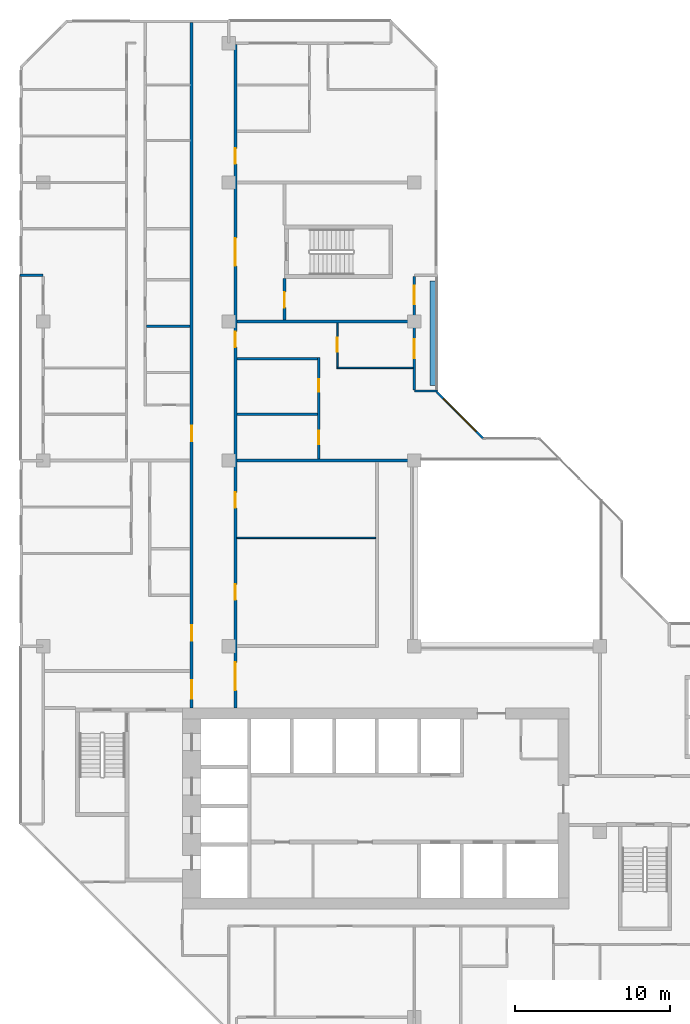
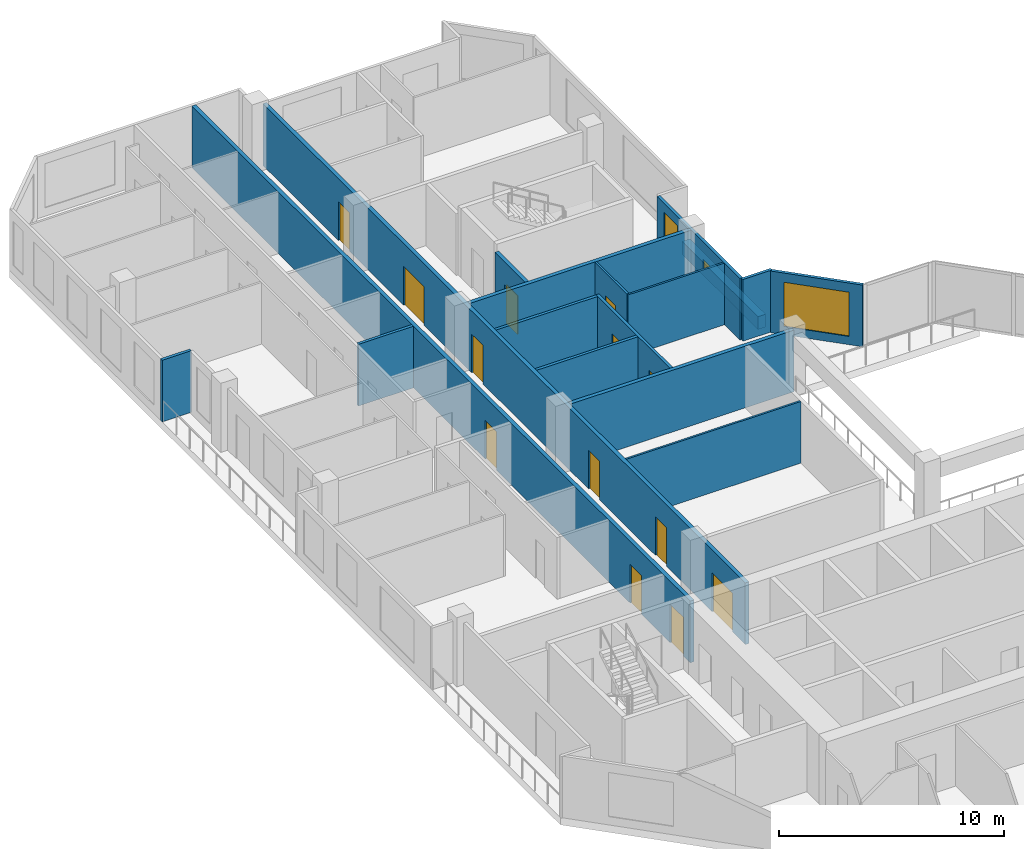
# One storey, part 9 of 15: 17 walls, 14 doors, 2 windows, 16 openings.
"""IFC4 building model written with IfcOpenShell, lengths in metres."""

from ifc_helpers import new_model, si_unit, direction, frame, frame_2d, origin, place, context, subcontext, project, spatial, rectangle, extrude, material, layer, layer_set, type_object, element, fill, save


model = new_model("IFC4")

# Units and contexts
model_context = context("Model", 3, precision=1e-05, world=origin(), true_north=direction((0.0, 1.0)))
body_context = subcontext(model_context, "Body", "Model", "MODEL_VIEW")
ifc_project = project(units=[si_unit("LENGTHUNIT", "METRE"), si_unit("AREAUNIT", "SQUARE_METRE"), si_unit("VOLUMEUNIT", "CUBIC_METRE"), si_unit("PLANEANGLEUNIT", "RADIAN"), si_unit("MASSUNIT", "GRAM", prefix="KILO")], contexts=[model_context])

# Site, building, storey
site_placement = place(None, origin())
site = spatial("IfcSite", under=ifc_project, at=site_placement, CompositionType="ELEMENT")
building_placement = place(site_placement, origin())
building = spatial("IfcBuilding", under=site, at=building_placement, Name="Chenar Terraces", CompositionType="ELEMENT")
storey_placement = place(building_placement, frame((0.0, 0.0, 215.39990234375)))
storey = spatial("IfcBuildingStorey", under=building, at=storey_placement, Name="L50", CompositionType="ELEMENT", Elevation=215.39990234375)

# Wall, openings, doors
ifc_material_1 = material(Name="Gypsum board on steel studs with fire boards", Category="steel")
ifc_layer_1 = layer(ifc_material_1, 0.199951171875)
ifc_layer_set_1 = layer_set([ifc_layer_1], Name="Gypsum board on steel studs with fire boards")
wall_type_1 = type_object("IfcWallType", Name="Corridor wall 200", PredefinedType="PARTITIONING", material=ifc_layer_set_1)
wall_1_placement = place(storey_placement, frame((9.60009765625, 20.0, 0.0), z_axis=(0.0, 0.0, 1.0), x_axis=(0.0, 1.0, 0.0)))
wall_1 = element("IfcWall", 1, at=wall_1_placement, inside=storey, type_object=wall_type_1, Name="Partition L50-030", PredefinedType="PARTITIONING", context=body_context, shape_type="SweptSolid", body=[
    extrude(rectangle(XDim=44.35009765625, YDim=0.199951171875, at=frame_2d((22.175048828125, 0.0))), origin(), (0.0, 0.0, 1.0), 3.35009765625),
])
opening_1_placement = place(wall_1_placement, frame((17.25, 0.0, 0.0)))
opening_1 = element("IfcOpeningElement", 2, at=opening_1_placement, cuts=wall_1, Name="Opening DL50-29", PredefinedType="OPENING", context=body_context, shape_type="SweptSolid", body=[
    extrude(rectangle(XDim=1.0, YDim=2.10009765625, at=frame_2d((0.5, 1.050048828125))), frame((0.0, 0.10986328125, 0.0), z_axis=(0.0, -1.0, 0.0), x_axis=(1.0, 0.0, 0.0)), (0.0, 0.0, 1.0), 0.219970703125),
])
opening_2_placement = place(wall_1_placement, frame((0.60009765625, 0.0, 0.0)))
opening_2 = element("IfcOpeningElement", 3, at=opening_2_placement, cuts=wall_1, Name="Opening DL50-40", PredefinedType="OPENING", context=body_context, shape_type="SweptSolid", body=[
    extrude(rectangle(XDim=1.199951171875, YDim=2.10009765625, at=frame_2d((0.60009765625, 1.050048828125))), frame((0.0, 0.10986328125, 0.0), z_axis=(0.0, -1.0, 0.0), x_axis=(1.0, 0.0, 0.0)), (0.0, 0.0, 1.0), 0.219970703125),
])
opening_3_placement = place(wall_1_placement, frame((4.35009765625, 0.0, 0.0)))
opening_3 = element("IfcOpeningElement", 4, at=opening_3_placement, cuts=wall_1, Name="Opening DL50-61", PredefinedType="OPENING", context=body_context, shape_type="SweptSolid", body=[
    extrude(rectangle(XDim=1.0, YDim=2.10009765625, at=frame_2d((0.5, 1.050048828125))), frame((0.0, 0.10986328125, 0.0), z_axis=(0.0, -1.0, 0.0), x_axis=(1.0, 0.0, 0.0)), (0.0, 0.0, 1.0), 0.219970703125),
])
ifc_material_2 = material(Name="Steel-framed fire-resisting door leaf", Category="steel")
door_type_1 = type_object("IfcDoorType", Name="Fire door FD30S 1000 x 2100", OperationType="SINGLE_SWING_LEFT", PredefinedType="DOOR", material=ifc_material_2)
door_1_placement = place(opening_1_placement, origin())
door_1 = element("IfcDoor", 5, at=door_1_placement, inside=storey, type_object=door_type_1, Name="Door DL50-29", OperationType="SINGLE_SWING_LEFT", OverallHeight=2.10009765625, OverallWidth=1.0, PredefinedType="DOOR", context=body_context, shape_type="SweptSolid", body=[
    extrude(rectangle(XDim=1.0, YDim=2.10009765625, at=frame_2d((0.5, 1.050048828125))), frame((0.0, 0.02490234375, 0.0), z_axis=(0.0, -1.0, 0.0), x_axis=(1.0, 0.0, 0.0)), (0.0, 0.0, 1.0), 0.050048828125),
])
fill(opening_1, door_1)
door_2_placement = place(opening_3_placement, origin())
door_2 = element("IfcDoor", 6, at=door_2_placement, inside=storey, type_object=door_type_1, Name="Door DL50-61", OperationType="SINGLE_SWING_RIGHT", OverallHeight=2.10009765625, OverallWidth=1.0, PredefinedType="DOOR", context=body_context, shape_type="SweptSolid", body=[
    extrude(rectangle(XDim=1.0, YDim=2.10009765625, at=frame_2d((0.5, 1.050048828125))), frame((0.0, 0.02490234375, 0.0), z_axis=(0.0, -1.0, 0.0), x_axis=(1.0, 0.0, 0.0)), (0.0, 0.0, 1.0), 0.050048828125),
])
fill(opening_3, door_2)
ifc_material_3 = material(Name="Steel-framed fire-resisting door leaf", Category="steel")
door_type_2 = type_object("IfcDoorType", Name="Fire door FD30S 1200 x 2100", OperationType="SINGLE_SWING_LEFT", PredefinedType="DOOR", material=ifc_material_3)
door_3_placement = place(opening_2_placement, origin())
door_3 = element("IfcDoor", 7, at=door_3_placement, inside=storey, type_object=door_type_2, Name="Door DL50-40", OperationType="SINGLE_SWING_RIGHT", OverallHeight=2.10009765625, OverallWidth=1.199951171875, PredefinedType="DOOR", context=body_context, shape_type="SweptSolid", body=[
    extrude(rectangle(XDim=1.199951171875, YDim=2.10009765625, at=frame_2d((0.60009765625, 1.050048828125))), frame((0.0, 0.02490234375, 0.0), z_axis=(0.0, -1.0, 0.0), x_axis=(1.0, 0.0, 0.0)), (0.0, 0.0, 1.0), 0.050048828125),
])
fill(opening_2, door_3)

wall_2_placement = place(storey_placement, frame((12.425048828125, 20.0, 0.0), z_axis=(0.0, 0.0, 1.0), x_axis=(0.0, 1.0, 0.0)))
wall_2 = element("IfcWall", 8, at=wall_2_placement, inside=storey, type_object=wall_type_1, Name="Partition L50-033", PredefinedType="PARTITIONING", context=body_context, shape_type="SweptSolid", body=[
    extrude(rectangle(XDim=42.926025390625, YDim=0.199951171875, at=frame_2d((21.462890625, 0.0))), origin(), (0.0, 0.0, 1.0), 3.35009765625),
])
opening_4_placement = place(wall_2_placement, frame((7.0, 0.0, 0.0)))
opening_4 = element("IfcOpeningElement", 9, at=opening_4_placement, cuts=wall_2, Name="Opening DL50-1", PredefinedType="OPENING", context=body_context, shape_type="SweptSolid", body=[
    extrude(rectangle(XDim=1.0, YDim=2.10009765625, at=frame_2d((0.5, 1.050048828125))), frame((0.0, 0.10986328125, 0.0), z_axis=(0.0, -1.0, 0.0), x_axis=(1.0, 0.0, 0.0)), (0.0, 0.0, 1.0), 0.219970703125),
])
opening_5_placement = place(wall_2_placement, frame((12.949951171875, 0.0, 0.0)))
opening_5 = element("IfcOpeningElement", 10, at=opening_5_placement, cuts=wall_2, Name="Opening DL50-2", PredefinedType="OPENING", context=body_context, shape_type="SweptSolid", body=[
    extrude(rectangle(XDim=1.0, YDim=2.10009765625, at=frame_2d((0.5, 1.050048828125))), frame((0.0, 0.10986328125, 0.0), z_axis=(0.0, -1.0, 0.0), x_axis=(1.0, 0.0, 0.0)), (0.0, 0.0, 1.0), 0.219970703125),
])
opening_6_placement = place(wall_2_placement, frame((23.35009765625, 0.0, 0.0)))
opening_6 = element("IfcOpeningElement", 11, at=opening_6_placement, cuts=wall_2, Name="Opening DL50-18", PredefinedType="OPENING", context=body_context, shape_type="SweptSolid", body=[
    extrude(rectangle(XDim=1.0, YDim=2.10009765625, at=frame_2d((0.5, 1.050048828125))), frame((0.0, 0.10986328125, 0.0), z_axis=(0.0, -1.0, 0.0), x_axis=(1.0, 0.0, 0.0)), (0.0, 0.0, 1.0), 0.219970703125),
])
opening_7_placement = place(wall_2_placement, frame((35.199951171875, 0.0, 0.0)))
opening_7 = element("IfcOpeningElement", 12, at=opening_7_placement, cuts=wall_2, Name="Opening DL50-22", PredefinedType="OPENING", context=body_context, shape_type="SweptSolid", body=[
    extrude(rectangle(XDim=1.0, YDim=2.10009765625, at=frame_2d((0.5, 1.050048828125))), frame((0.0, 0.10986328125, 0.0), z_axis=(0.0, -1.0, 0.0), x_axis=(1.0, 0.0, 0.0)), (0.0, 0.0, 1.0), 0.219970703125),
])
opening_8_placement = place(wall_2_placement, frame((1.14990234375, 0.0, 0.0)))
opening_8 = element("IfcOpeningElement", 13, at=opening_8_placement, cuts=wall_2, Name="Opening DL50-39", PredefinedType="OPENING", context=body_context, shape_type="SweptSolid", body=[
    extrude(rectangle(XDim=1.800048828125, YDim=2.10009765625, at=frame_2d((0.89990234375, 1.050048828125))), frame((0.0, 0.10986328125, 0.0), z_axis=(0.0, -1.0, 0.0), x_axis=(1.0, 0.0, 0.0)), (0.0, 0.0, 1.0), 0.219970703125),
])
opening_9_placement = place(wall_2_placement, frame((28.60009765625, 0.0, 0.0)))
opening_9 = element("IfcOpeningElement", 14, at=opening_9_placement, cuts=wall_2, Name="Opening DL50-41", PredefinedType="OPENING", context=body_context, shape_type="SweptSolid", body=[
    extrude(rectangle(XDim=1.800048828125, YDim=2.10009765625, at=frame_2d((0.89990234375, 1.050048828125))), frame((0.0, 0.10986328125, 0.0), z_axis=(0.0, -1.0, 0.0), x_axis=(1.0, 0.0, 0.0)), (0.0, 0.0, 1.0), 0.219970703125),
])
ifc_material_4 = material(Name="Steel-framed fire-resisting door leaf", Category="steel")
door_type_3 = type_object("IfcDoorType", Name="Fire door FD60 1000 x 2100", OperationType="SINGLE_SWING_LEFT", PredefinedType="DOOR", material=ifc_material_4)
door_4_placement = place(opening_4_placement, frame((1.0, 0.0, 0.0), z_axis=(0.0, 0.0, 1.0), x_axis=(-1.0, 0.0, 0.0)))
door_4 = element("IfcDoor", 15, at=door_4_placement, inside=storey, type_object=door_type_3, Name="Door DL50-1", OperationType="SINGLE_SWING_LEFT", OverallHeight=2.10009765625, OverallWidth=1.0, PredefinedType="DOOR", context=body_context, shape_type="SweptSolid", body=[
    extrude(rectangle(XDim=1.0, YDim=2.10009765625, at=frame_2d((0.5, 1.050048828125))), frame((0.0, 0.02490234375, 0.0), z_axis=(0.0, -1.0, 0.0), x_axis=(1.0, 0.0, 0.0)), (0.0, 0.0, 1.0), 0.050048828125),
])
fill(opening_4, door_4)
door_5_placement = place(opening_5_placement, frame((1.0, 0.0, 0.0), z_axis=(0.0, 0.0, 1.0), x_axis=(-1.0, 0.0, 0.0)))
door_5 = element("IfcDoor", 16, at=door_5_placement, inside=storey, type_object=door_type_3, Name="Door DL50-2", OperationType="SINGLE_SWING_LEFT", OverallHeight=2.10009765625, OverallWidth=1.0, PredefinedType="DOOR", context=body_context, shape_type="SweptSolid", body=[
    extrude(rectangle(XDim=1.0, YDim=2.10009765625, at=frame_2d((0.5, 1.050048828125))), frame((0.0, 0.02490234375, 0.0), z_axis=(0.0, -1.0, 0.0), x_axis=(1.0, 0.0, 0.0)), (0.0, 0.0, 1.0), 0.050048828125),
])
fill(opening_5, door_5)
door_6_placement = place(opening_6_placement, frame((1.0, 0.0, 0.0), z_axis=(0.0, 0.0, 1.0), x_axis=(-1.0, 0.0, 0.0)))
door_6 = element("IfcDoor", 17, at=door_6_placement, inside=storey, type_object=door_type_3, Name="Door DL50-18", OperationType="SINGLE_SWING_LEFT", OverallHeight=2.10009765625, OverallWidth=1.0, PredefinedType="DOOR", context=body_context, shape_type="SweptSolid", body=[
    extrude(rectangle(XDim=1.0, YDim=2.10009765625, at=frame_2d((0.5, 1.050048828125))), frame((0.0, 0.02490234375, 0.0), z_axis=(0.0, -1.0, 0.0), x_axis=(1.0, 0.0, 0.0)), (0.0, 0.0, 1.0), 0.050048828125),
])
fill(opening_6, door_6)
door_7_placement = place(opening_7_placement, frame((1.0, 0.0, 0.0), z_axis=(0.0, 0.0, 1.0), x_axis=(-1.0, 0.0, 0.0)))
door_7 = element("IfcDoor", 18, at=door_7_placement, inside=storey, type_object=door_type_3, Name="Door DL50-22", OperationType="SINGLE_SWING_LEFT", OverallHeight=2.10009765625, OverallWidth=1.0, PredefinedType="DOOR", context=body_context, shape_type="SweptSolid", body=[
    extrude(rectangle(XDim=1.0, YDim=2.10009765625, at=frame_2d((0.5, 1.050048828125))), frame((0.0, 0.02490234375, 0.0), z_axis=(0.0, -1.0, 0.0), x_axis=(1.0, 0.0, 0.0)), (0.0, 0.0, 1.0), 0.050048828125),
])
fill(opening_7, door_7)
ifc_material_5 = material(Name="Steel-framed fire-resisting door leaf", Category="steel")
door_type_4 = type_object("IfcDoorType", Name="Fire double door FD60 1800 x 2100", OperationType="DOUBLE_DOOR_SINGLE_SWING", PredefinedType="DOOR", material=ifc_material_5)
door_8_placement = place(opening_8_placement, frame((1.800048828125, 0.0, 0.0), z_axis=(0.0, 0.0, 1.0), x_axis=(-1.0, 0.0, 0.0)))
door_8 = element("IfcDoor", 19, at=door_8_placement, inside=storey, type_object=door_type_4, Name="Door DL50-39", OperationType="DOUBLE_DOOR_SINGLE_SWING", OverallHeight=2.10009765625, OverallWidth=1.800048828125, PredefinedType="DOOR", context=body_context, shape_type="SweptSolid", body=[
    extrude(rectangle(XDim=1.800048828125, YDim=2.10009765625, at=frame_2d((0.89990234375, 1.050048828125))), frame((0.0, 0.02490234375, 0.0), z_axis=(0.0, -1.0, 0.0), x_axis=(1.0, 0.0, 0.0)), (0.0, 0.0, 1.0), 0.050048828125),
])
fill(opening_8, door_8)
door_9_placement = place(opening_9_placement, frame((1.800048828125, 0.0, 0.0), z_axis=(0.0, 0.0, 1.0), x_axis=(-1.0, 0.0, 0.0)))
door_9 = element("IfcDoor", 20, at=door_9_placement, inside=storey, type_object=door_type_4, Name="Door DL50-41", OperationType="DOUBLE_DOOR_SINGLE_SWING", OverallHeight=2.10009765625, OverallWidth=1.800048828125, PredefinedType="DOOR", context=body_context, shape_type="SweptSolid", body=[
    extrude(rectangle(XDim=1.800048828125, YDim=2.10009765625, at=frame_2d((0.89990234375, 1.050048828125))), frame((0.0, 0.02490234375, 0.0), z_axis=(0.0, -1.0, 0.0), x_axis=(1.0, 0.0, 0.0)), (0.0, 0.0, 1.0), 0.050048828125),
])
fill(opening_9, door_9)

# Wall, opening, door
wall_3_placement = place(storey_placement, frame((15.60009765625, 45.10009765625, 0.0), z_axis=(0.0, 0.0, 1.0), x_axis=(0.0, 1.0, 0.0)))
wall_3 = element("IfcWall", 21, at=wall_3_placement, inside=storey, type_object=wall_type_1, Name="Partition L50-044", PredefinedType="PARTITIONING", context=body_context, shape_type="SweptSolid", body=[
    extrude(rectangle(XDim=2.6748046875, YDim=0.199951171875, at=frame_2d((1.33740234375, 0.0))), origin(), (0.0, 0.0, 1.0), 3.35009765625),
])
opening_10_placement = place(wall_3_placement, frame((0.800048828125, 0.0, 0.0)))
opening_10 = element("IfcOpeningElement", 22, at=opening_10_placement, cuts=wall_3, Name="Opening DL50-43", PredefinedType="OPENING", context=body_context, shape_type="SweptSolid", body=[
    extrude(rectangle(XDim=1.0, YDim=2.10009765625, at=frame_2d((0.5, 1.050048828125))), frame((0.0, 0.10986328125, 0.0), z_axis=(0.0, -1.0, 0.0), x_axis=(1.0, 0.0, 0.0)), (0.0, 0.0, 1.0), 0.219970703125),
])
door_10_placement = place(opening_10_placement, frame((1.0, 0.0, 0.0), z_axis=(0.0, 0.0, 1.0), x_axis=(-1.0, 0.0, 0.0)))
door_10 = element("IfcDoor", 23, at=door_10_placement, inside=storey, type_object=door_type_3, Name="Door DL50-43", OperationType="SINGLE_SWING_RIGHT", OverallHeight=2.10009765625, OverallWidth=1.0, PredefinedType="DOOR", context=body_context, shape_type="SweptSolid", body=[
    extrude(rectangle(XDim=1.0, YDim=2.10009765625, at=frame_2d((0.5, 1.050048828125))), frame((0.0, 0.02490234375, 0.0), z_axis=(0.0, -1.0, 0.0), x_axis=(1.0, 0.0, 0.0)), (0.0, 0.0, 1.0), 0.050048828125),
])
fill(opening_10, door_10)

# Wall, openings, window, door
ifc_material_6 = material(Name="Aluminium framed glazing", Category="aluminium")
ifc_layer_2 = layer(ifc_material_6, 0.14990234375)
ifc_layer_set_2 = layer_set([ifc_layer_2], Name="Aluminium framed glazing")
wall_type_2 = type_object("IfcWallType", Name="Glazed loggia back wall 150", PredefinedType="SOLIDWALL", material=ifc_layer_set_2)
wall_4_placement = place(storey_placement, frame((24.0, 40.574951171875, 0.0), z_axis=(0.0, 0.0, 1.0), x_axis=(0.0, 1.0, 0.0)))
wall_4 = element("IfcWall", 24, at=wall_4_placement, inside=storey, type_object=wall_type_2, Name="Glazed loggia back wall", PredefinedType="SOLIDWALL", context=body_context, shape_type="SweptSolid", body=[
    extrude(rectangle(XDim=7.35009765625, YDim=0.14990234375, at=frame_2d((3.675048828125, 0.0))), origin(), (0.0, 0.0, 1.0), 3.35009765625),
])
opening_11_placement = place(wall_4_placement, frame((2.0625, 0.0, 0.0)))
opening_11 = element("IfcOpeningElement", 25, at=opening_11_placement, cuts=wall_4, Name="Opening DL50-G1", PredefinedType="OPENING", context=body_context, shape_type="SweptSolid", body=[
    extrude(rectangle(XDim=1.199951171875, YDim=2.39990234375, at=frame_2d((0.60009765625, 1.199951171875))), frame((0.0, 0.0849609375, 0.0), z_axis=(0.0, -1.0, 0.0), x_axis=(1.0, 0.0, 0.0)), (0.0, 0.0, 1.0), 0.169921875),
])
opening_12_placement = place(wall_4_placement, frame((5.550048828125, 0.0, 0.449951171875)))
opening_12 = element("IfcOpeningElement", 26, at=opening_12_placement, cuts=wall_4, Name="Opening W120x240", PredefinedType="OPENING", context=body_context, shape_type="SweptSolid", body=[
    extrude(rectangle(XDim=1.199951171875, YDim=2.39990234375, at=frame_2d((0.60009765625, 1.199951171875))), frame((0.0, 0.0849609375, 0.0), z_axis=(0.0, -1.0, 0.0), x_axis=(1.0, 0.0, 0.0)), (0.0, 0.0, 1.0), 0.169921875),
])
ifc_material_7 = material(Name="Low emissivity double glazing, aluminium frame", Category="aluminium")
window_type_1 = type_object("IfcWindowType", Name="Fixed light 1200 x 2400", PartitioningType="SINGLE_PANEL", PredefinedType="WINDOW", material=ifc_material_7)
window_1_placement = place(opening_12_placement, origin())
window_1 = element("IfcWindow", 27, at=window_1_placement, inside=storey, type_object=window_type_1, Name="Window", OverallHeight=2.39990234375, OverallWidth=1.199951171875, PartitioningType="SINGLE_PANEL", PredefinedType="WINDOW", context=body_context, shape_type="SweptSolid", body=[
    extrude(rectangle(XDim=1.199951171875, YDim=2.39990234375, at=frame_2d((0.60009765625, 1.199951171875))), frame((0.0, 0.030029296875, 0.0), z_axis=(0.0, -1.0, 0.0), x_axis=(1.0, 0.0, 0.0)), (0.0, 0.0, 1.0), 0.06005859375),
])
fill(opening_12, window_1)
ifc_material_8 = material(Name="Low emissivity double glazing, aluminium frame", Category="aluminium")
door_type_5 = type_object("IfcDoorType", Name="Loggia glazed double door 1200 x 2400", OperationType="DOUBLE_DOOR_SINGLE_SWING", PredefinedType="DOOR", material=ifc_material_8)
door_11_placement = place(opening_11_placement, frame((1.199951171875, 0.0, 0.0), z_axis=(0.0, 0.0, 1.0), x_axis=(-1.0, 0.0, 0.0)))
door_11 = element("IfcDoor", 28, at=door_11_placement, inside=storey, type_object=door_type_5, Name="Loggia glazed door", OperationType="DOUBLE_DOOR_SINGLE_SWING", OverallHeight=2.39990234375, OverallWidth=1.199951171875, PredefinedType="DOOR", context=body_context, shape_type="SweptSolid", body=[
    extrude(rectangle(XDim=1.199951171875, YDim=2.39990234375, at=frame_2d((0.60009765625, 1.199951171875))), frame((0.0, 0.02490234375, 0.0), z_axis=(0.0, -1.0, 0.0), x_axis=(1.0, 0.0, 0.0)), (0.0, 0.0, 1.0), 0.050048828125),
])
fill(opening_11, door_11)

# Walls
ifc_material_9 = material(Name="Gypsum board on steel studs", Category="steel")
ifc_layer_3 = layer(ifc_material_9, 0.10009765625)
ifc_layer_set_3 = layer_set([ifc_layer_3], Name="Gypsum board on steel studs")
wall_type_3 = type_object("IfcWallType", Name="Gypsum partition 100", PredefinedType="PARTITIONING", material=ifc_layer_set_3)
wall_5_placement = place(storey_placement, frame((12.52490234375, 31.0, 0.0), z_axis=(0.0, 0.0, 1.0), x_axis=(1.0, 0.0, 0.0)))
element("IfcWall", 29, at=wall_5_placement, inside=storey, type_object=wall_type_3, Name="Partition L50-035", PredefinedType="PARTITIONING", context=body_context, shape_type="SweptSolid", body=[
    extrude(rectangle(XDim=8.97509765625, YDim=0.10009765625, at=frame_2d((4.487548828125, 0.0))), origin(), (0.0, 0.0, 1.0), 3.35009765625),
])
wall_6_placement = place(storey_placement, frame((18.97509765625, 42.0, 0.0), z_axis=(0.0, 0.0, 1.0), x_axis=(1.0, 0.0, 0.0)))
element("IfcWall", 30, at=wall_6_placement, inside=storey, type_object=wall_type_3, Name="Partition L50-050", PredefinedType="PARTITIONING", context=body_context, shape_type="SweptSolid", body=[
    extrude(rectangle(XDim=4.950927734375, YDim=0.10009765625, at=frame_2d((2.4755859375, 0.0))), origin(), (0.0, 0.0, 1.0), 3.35009765625),
])

# Wall, opening, door
wall_7_placement = place(storey_placement, frame((19.02490234375, 42.050048828125, 0.0), z_axis=(0.0, 0.0, 1.0), x_axis=(0.0, 1.0, 0.0)))
wall_7 = element("IfcWall", 31, at=wall_7_placement, inside=storey, type_object=wall_type_3, Name="Partition L50-051", PredefinedType="PARTITIONING", context=body_context, shape_type="SweptSolid", body=[
    extrude(rectangle(XDim=2.849853515625, YDim=0.10009765625, at=frame_2d((1.4248046875, 0.0))), origin(), (0.0, 0.0, 1.0), 3.35009765625),
])
opening_13_placement = place(wall_7_placement, frame((1.0, 0.0, 0.0)))
opening_13 = element("IfcOpeningElement", 32, at=opening_13_placement, cuts=wall_7, Name="Opening DL50-16", PredefinedType="OPENING", context=body_context, shape_type="SweptSolid", body=[
    extrude(rectangle(XDim=0.89990234375, YDim=2.10009765625, at=frame_2d((0.449951171875, 1.050048828125))), frame((0.0, 0.06005859375, 0.0), z_axis=(0.0, -1.0, 0.0), x_axis=(1.0, 0.0, 0.0)), (0.0, 0.0, 1.0), 0.1201171875),
])
ifc_material_10 = material(Name="Veneered timber door leaf", Category="wood")
door_type_6 = type_object("IfcDoorType", Name="Door 900 x 2100", OperationType="SINGLE_SWING_LEFT", PredefinedType="DOOR", material=ifc_material_10)
door_12_placement = place(opening_13_placement, frame((0.89990234375, 0.0, 0.0), z_axis=(0.0, 0.0, 1.0), x_axis=(-1.0, 0.0, 0.0)))
door_12 = element("IfcDoor", 33, at=door_12_placement, inside=storey, type_object=door_type_6, Name="Door DL50-16", OperationType="SINGLE_SWING_LEFT", OverallHeight=2.10009765625, OverallWidth=0.89990234375, PredefinedType="DOOR", context=body_context, shape_type="SweptSolid", body=[
    extrude(rectangle(XDim=0.89990234375, YDim=2.10009765625, at=frame_2d((0.449951171875, 1.050048828125))), frame((0.0, 0.02490234375, 0.0), z_axis=(0.0, -1.0, 0.0), x_axis=(1.0, 0.0, 0.0)), (0.0, 0.0, 1.0), 0.050048828125),
])
fill(opening_13, door_12)

# Walls
ifc_material_11 = material(Name="Terracotta cladding on insulated backing", Category="masonry")
ifc_layer_4 = layer(ifc_material_11, 0.14990234375)
ifc_layer_set_4 = layer_set([ifc_layer_4], Name="Terracotta cladding on insulated backing")
wall_type_4 = type_object("IfcWallType", Name="Loggia return wall 150", PredefinedType="SOLIDWALL", material=ifc_layer_set_4)
for number, where, z_axis, x_axis, name in (
    (34, (25.5, 40.5, 0.0), (0.0, 0.0, 1.0), (-1.0, 0.0, 0.0), "Loggia return wall"),
    (35, (-1.5, 48.0, 0.0), (0.0, 0.0, 1.0), (1.0, 0.0, 0.0), "Loggia return wall"),
):
    element("IfcWall", number, at=place(storey_placement, frame(where, z_axis=z_axis, x_axis=x_axis)), inside=storey, type_object=wall_type_4, Name=name, PredefinedType="SOLIDWALL", context=body_context, shape_type="SweptSolid", body=[
        extrude(rectangle(XDim=1.5, YDim=0.14990234375, at=frame_2d((0.75, 0.0))), origin(), (0.0, 0.0, 1.0), 3.35009765625),
    ])

# Wall, opening, window
ifc_material_12 = material(Name="Terracotta cladding on insulated backing", Category="masonry")
ifc_layer_5 = layer(ifc_material_12, 0.14990234375)
ifc_layer_set_5 = layer_set([ifc_layer_5], Name="Terracotta cladding on insulated backing")
wall_type_5 = type_object("IfcWallType", Name="Terracotta rainscreen wall 150", PredefinedType="SOLIDWALL", material=ifc_layer_set_5)
wall_8_placement = place(storey_placement, frame((28.447021484375, 37.447021484375, 0.0), z_axis=(0.0, 0.0, 1.0), x_axis=(-0.707106781187, 0.707106781187, 0.0)))
wall_8 = element("IfcWall", 36, at=wall_8_placement, inside=storey, type_object=wall_type_5, Name="Terracotta rainscreen wall", PredefinedType="SOLIDWALL", context=body_context, shape_type="SweptSolid", body=[
    extrude(rectangle(XDim=4.24267578125, YDim=0.14990234375, at=frame_2d((2.121337890625, 0.0))), origin(), (0.0, 0.0, 1.0), 3.35009765625),
])
opening_14_placement = place(wall_8_placement, frame((0.621337890625, 0.0, 0.449951171875)))
opening_14 = element("IfcOpeningElement", 37, at=opening_14_placement, cuts=wall_8, Name="Opening W300x240", PredefinedType="OPENING", context=body_context, shape_type="SweptSolid", body=[
    extrude(rectangle(XDim=3.0, YDim=2.39990234375, at=frame_2d((1.5, 1.199951171875))), frame((0.0, 0.0849609375, 0.0), z_axis=(0.0, -1.0, 0.0), x_axis=(1.0, 0.0, 0.0)), (0.0, 0.0, 1.0), 0.169921875),
])
ifc_material_13 = material(Name="Low emissivity double glazing, aluminium frame", Category="aluminium")
window_type_2 = type_object("IfcWindowType", Name="Fixed light 3000 x 2400", PartitioningType="SINGLE_PANEL", PredefinedType="WINDOW", material=ifc_material_13)
window_2_placement = place(opening_14_placement, origin())
window_2 = element("IfcWindow", 38, at=window_2_placement, inside=storey, type_object=window_type_2, Name="Window", OverallHeight=2.39990234375, OverallWidth=3.0, PartitioningType="SINGLE_PANEL", PredefinedType="WINDOW", context=body_context, shape_type="SweptSolid", body=[
    extrude(rectangle(XDim=3.0, YDim=2.39990234375, at=frame_2d((1.5, 1.199951171875))), frame((0.0, 0.030029296875, 0.0), z_axis=(0.0, -1.0, 0.0), x_axis=(1.0, 0.0, 0.0)), (0.0, 0.0, 1.0), 0.06005859375),
])
fill(opening_14, window_2)

# Walls
ifc_material_14 = material(Name="Twin gypsum board on steel studs with mineral wool", Category="steel")
ifc_layer_6 = layer(ifc_material_14, 0.199951171875)
ifc_layer_set_6 = layer_set([ifc_layer_6], Name="Twin gypsum board on steel studs with mineral wool")
wall_type_6 = type_object("IfcWallType", Name="Unit demising wall 200", PredefinedType="PARTITIONING", material=ifc_layer_set_6)
wall_9_placement = place(storey_placement, frame((12.52490234375, 36.0, 0.0), z_axis=(0.0, 0.0, 1.0), x_axis=(1.0, 0.0, 0.0)))
element("IfcWall", 39, at=wall_9_placement, inside=storey, type_object=wall_type_6, Name="Partition L50-036", PredefinedType="PARTITIONING", context=body_context, shape_type="SweptSolid", body=[
    extrude(rectangle(XDim=11.47509765625, YDim=0.199951171875, at=frame_2d((5.737548828125, 0.0))), origin(), (0.0, 0.0, 1.0), 3.35009765625),
])
wall_10_placement = place(storey_placement, frame((12.52490234375, 45.0, 0.0), z_axis=(0.0, 0.0, 1.0), x_axis=(1.0, 0.0, 0.0)))
element("IfcWall", 40, at=wall_10_placement, inside=storey, type_object=wall_type_6, Name="Partition L50-039", PredefinedType="PARTITIONING", context=body_context, shape_type="SweptSolid", body=[
    extrude(rectangle(XDim=11.401123046875, YDim=0.199951171875, at=frame_2d((5.70068359375, 0.0))), origin(), (0.0, 0.0, 1.0), 3.35009765625),
])
ifc_material_15 = material(Name="GRP planter trough")
ifc_layer_7 = layer(ifc_material_15, 0.39990234375)
ifc_layer_set_7 = layer_set([ifc_layer_7], Name="GRP planter trough")
wall_type_7 = type_object("IfcWallType", Name="Vertical greenery planter 400", PredefinedType="SOLIDWALL", material=ifc_layer_set_7)
wall_11_placement = place(storey_placement, frame((25.22900390625, 40.875, 0.0), z_axis=(0.0, 0.0, 1.0), x_axis=(0.0, 1.0, 0.0)))
element("IfcWall", 41, at=wall_11_placement, inside=storey, type_object=wall_type_7, Name="Vertical greenery planter", PredefinedType="SOLIDWALL", context=body_context, shape_type="SweptSolid", body=[
    extrude(rectangle(XDim=6.75, YDim=0.39990234375, at=frame_2d((3.375, 0.0))), origin(), (0.0, 0.0, 1.0), 0.7001953125),
])
ifc_material_16 = material(Name="Moisture-resistant gypsum board on steel studs", Category="steel")
ifc_layer_8 = layer(ifc_material_16, 0.14990234375)
ifc_layer_set_8 = layer_set([ifc_layer_8], Name="Moisture-resistant gypsum board on steel studs")
wall_type_8 = type_object("IfcWallType", Name="Wet-room partition 150", PredefinedType="PARTITIONING", material=ifc_layer_set_8)
wall_12_placement = place(storey_placement, frame((6.675048828125, 44.699951171875, 0.0), z_axis=(0.0, 0.0, 1.0), x_axis=(1.0, 0.0, 0.0)))
element("IfcWall", 42, at=wall_12_placement, inside=storey, type_object=wall_type_8, Name="Partition L50-020", PredefinedType="PARTITIONING", context=body_context, shape_type="SweptSolid", body=[
    extrude(rectangle(XDim=2.824951171875, YDim=0.14990234375, at=frame_2d((1.41259765625, 0.0))), origin(), (0.0, 0.0, 1.0), 3.35009765625),
])
for number, where, z_axis, x_axis, name in (
    (43, (12.52490234375, 39.0, 0.0), (0.0, 0.0, 1.0), (1.0, 0.0, 0.0), "Partition L50-037"),
    (44, (12.52490234375, 42.60009765625, 0.0), (0.0, 0.0, 1.0), (1.0, 0.0, 0.0), "Partition L50-038"),
):
    element("IfcWall", number, at=place(storey_placement, frame(where, z_axis=z_axis, x_axis=x_axis)), inside=storey, type_object=wall_type_8, Name=name, PredefinedType="PARTITIONING", context=body_context, shape_type="SweptSolid", body=[
        extrude(rectangle(XDim=5.22509765625, YDim=0.14990234375, at=frame_2d((2.612548828125, 0.0))), origin(), (0.0, 0.0, 1.0), 3.35009765625),
    ])

# Wall, openings, doors
wall_13_placement = place(storey_placement, frame((17.824951171875, 36.10009765625, 0.0), z_axis=(0.0, 0.0, 1.0), x_axis=(0.0, 1.0, 0.0)))
wall_13 = element("IfcWall", 45, at=wall_13_placement, inside=storey, type_object=wall_type_8, Name="Partition L50-047", PredefinedType="PARTITIONING", context=body_context, shape_type="SweptSolid", body=[
    extrude(rectangle(XDim=6.574951171875, YDim=0.14990234375, at=frame_2d((3.28759765625, 0.0))), origin(), (0.0, 0.0, 1.0), 3.35009765625),
])
opening_15_placement = place(wall_13_placement, frame((4.35009765625, 0.0, 0.0)))
opening_15 = element("IfcOpeningElement", 46, at=opening_15_placement, cuts=wall_13, Name="Opening DL50-15", PredefinedType="OPENING", context=body_context, shape_type="SweptSolid", body=[
    extrude(rectangle(XDim=0.800048828125, YDim=2.10009765625, at=frame_2d((0.39990234375, 1.050048828125))), frame((0.0, 0.0849609375, 0.0), z_axis=(0.0, -1.0, 0.0), x_axis=(1.0, 0.0, 0.0)), (0.0, 0.0, 1.0), 0.169921875),
])
opening_16_placement = place(wall_13_placement, frame((0.949951171875, 0.0, 0.0)))
opening_16 = element("IfcOpeningElement", 47, at=opening_16_placement, cuts=wall_13, Name="Opening DL50-17", PredefinedType="OPENING", context=body_context, shape_type="SweptSolid", body=[
    extrude(rectangle(XDim=0.89990234375, YDim=2.10009765625, at=frame_2d((0.449951171875, 1.050048828125))), frame((0.0, 0.0849609375, 0.0), z_axis=(0.0, -1.0, 0.0), x_axis=(1.0, 0.0, 0.0)), (0.0, 0.0, 1.0), 0.169921875),
])
ifc_material_17 = material(Name="Veneered timber door leaf", Category="wood")
door_type_7 = type_object("IfcDoorType", Name="Door 800 x 2100", OperationType="SINGLE_SWING_LEFT", PredefinedType="DOOR", material=ifc_material_17)
door_13_placement = place(opening_15_placement, origin())
door_13 = element("IfcDoor", 48, at=door_13_placement, inside=storey, type_object=door_type_7, Name="Door DL50-15", OperationType="SINGLE_SWING_RIGHT", OverallHeight=2.10009765625, OverallWidth=0.800048828125, PredefinedType="DOOR", context=body_context, shape_type="SweptSolid", body=[
    extrude(rectangle(XDim=0.800048828125, YDim=2.10009765625, at=frame_2d((0.39990234375, 1.050048828125))), frame((0.0, 0.02490234375, 0.0), z_axis=(0.0, -1.0, 0.0), x_axis=(1.0, 0.0, 0.0)), (0.0, 0.0, 1.0), 0.050048828125),
])
fill(opening_15, door_13)
door_14_placement = place(opening_16_placement, origin())
door_14 = element("IfcDoor", 49, at=door_14_placement, inside=storey, type_object=door_type_6, Name="Door DL50-17", OperationType="SINGLE_SWING_RIGHT", OverallHeight=2.10009765625, OverallWidth=0.89990234375, PredefinedType="DOOR", context=body_context, shape_type="SweptSolid", body=[
    extrude(rectangle(XDim=0.89990234375, YDim=2.10009765625, at=frame_2d((0.449951171875, 1.050048828125))), frame((0.0, 0.02490234375, 0.0), z_axis=(0.0, -1.0, 0.0), x_axis=(1.0, 0.0, 0.0)), (0.0, 0.0, 1.0), 0.050048828125),
])
fill(opening_16, door_14)

save(model, "model.ifc")
